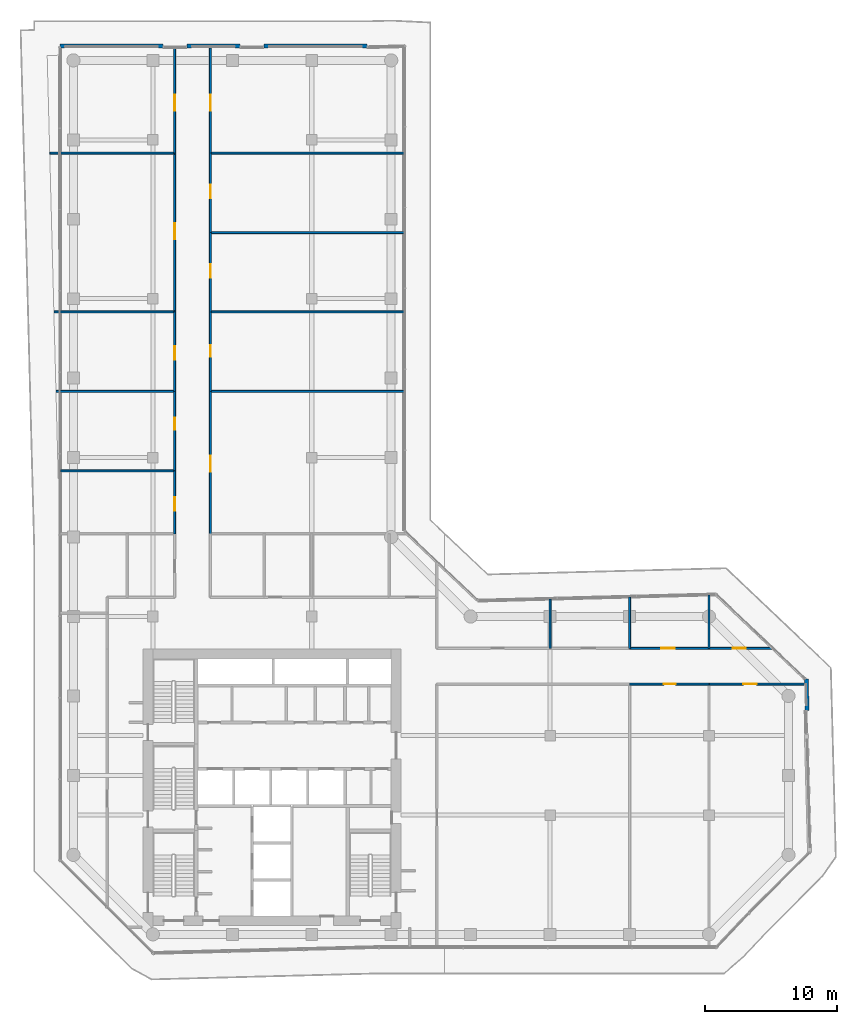
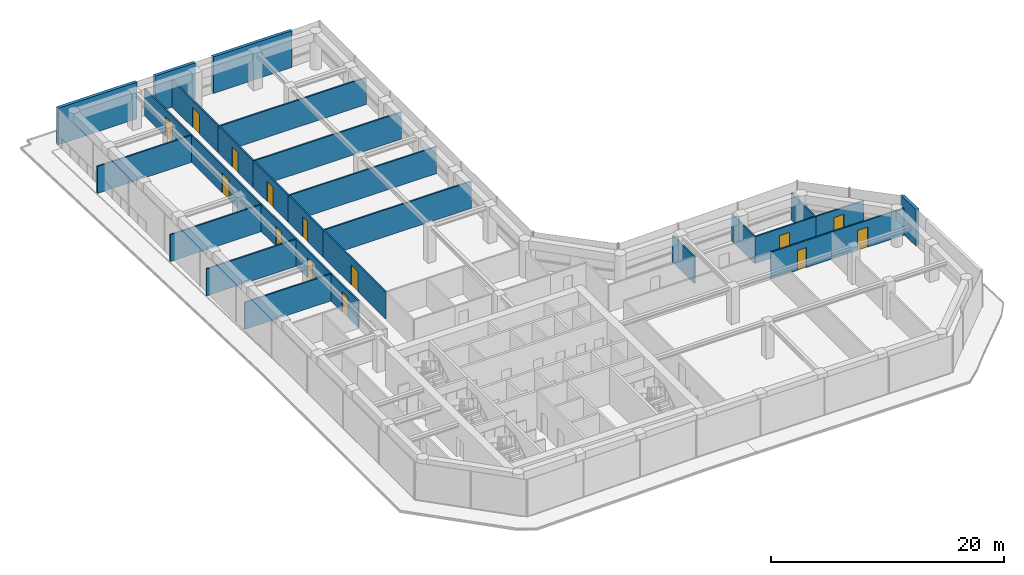
# One storey, part 20 of 23: 29 walls, 14 doors, 14 openings.
"""IFC4 building model written with IfcOpenShell, lengths in metres."""

from ifc_helpers import new_model, si_unit, direction, frame, frame_2d, origin, place, context, subcontext, project, spatial, rectangle, extrude, material, layer, layer_set, type_object, element, fill, save


model = new_model("IFC4")

# Units and contexts
model_context = context("Model", 3, precision=1e-05, world=origin(), true_north=direction((0.0, 1.0)))
body_context = subcontext(model_context, "Body", "Model", "MODEL_VIEW")
ifc_project = project(units=[si_unit("LENGTHUNIT", "METRE"), si_unit("AREAUNIT", "SQUARE_METRE"), si_unit("VOLUMEUNIT", "CUBIC_METRE"), si_unit("PLANEANGLEUNIT", "RADIAN"), si_unit("MASSUNIT", "GRAM", prefix="KILO")], contexts=[model_context])

# Site, building, storey
site_placement = place(None, origin())
site = spatial("IfcSite", under=ifc_project, at=site_placement, CompositionType="ELEMENT")
building_placement = place(site_placement, origin())
building = spatial("IfcBuilding", under=site, at=building_placement, Name="Welwitschia Terrace Campus", CompositionType="ELEMENT")
storey_placement = place(building_placement, frame((0.0, 0.0, 104.60009765625)))
storey = spatial("IfcBuildingStorey", under=building, at=storey_placement, Name="L23", CompositionType="ELEMENT", Elevation=104.60009765625)

# Walls
ifc_material_1 = material(Name="Gypsum board on steel studs", Category="steel")
ifc_layer_1 = layer(ifc_material_1, 0.14990234375)
ifc_layer_set_1 = layer_set([ifc_layer_1], Name="Gypsum board on steel studs")
wall_type_1 = type_object("IfcWallType", Name="Corridor partition 150 EI 30", PredefinedType="PARTITIONING", material=ifc_layer_set_1)
wall_1_placement = place(storey_placement, frame((-1.77001953125, 63.0, 0.0), z_axis=(0.0, 0.0, 1.0), x_axis=(1.0, 0.0, 0.0)))
element("IfcWall", 1, at=wall_1_placement, inside=storey, type_object=wall_type_1, Name="Partition", PredefinedType="PARTITIONING", context=body_context, shape_type="SweptSolid", body=[
    extrude(rectangle(XDim=9.419921875, YDim=0.14990234375, at=frame_2d((4.7099609375, 0.0))), origin(), (0.0, 0.0, 1.0), 2.829833984375),
])
wall_2_placement = place(storey_placement, frame((-1.449951171875, 51.0, 0.0), z_axis=(0.0, 0.0, 1.0), x_axis=(1.0, 0.0, 0.0)))
element("IfcWall", 2, at=wall_2_placement, inside=storey, type_object=wall_type_1, Name="Partition", PredefinedType="PARTITIONING", context=body_context, shape_type="SweptSolid", body=[
    extrude(rectangle(XDim=9.099853515625, YDim=0.14990234375, at=frame_2d((4.5498046875, 0.0))), origin(), (0.0, 0.0, 1.0), 2.829833984375),
])
wall_3_placement = place(storey_placement, frame((-1.300048828125, 45.0, 0.0), z_axis=(0.0, 0.0, 1.0), x_axis=(1.0, 0.0, 0.0)))
element("IfcWall", 3, at=wall_3_placement, inside=storey, type_object=wall_type_1, Name="Partition", PredefinedType="PARTITIONING", context=body_context, shape_type="SweptSolid", body=[
    extrude(rectangle(XDim=8.949951171875, YDim=0.14990234375, at=frame_2d((4.47509765625, 0.0))), origin(), (0.0, 0.0, 1.0), 2.829833984375),
])
wall_4_placement = place(storey_placement, frame((-0.969970703125, 39.0, 0.0), z_axis=(0.0, 0.0, 1.0), x_axis=(1.0, 0.0, 0.0)))
element("IfcWall", 4, at=wall_4_placement, inside=storey, type_object=wall_type_1, Name="Partition", PredefinedType="PARTITIONING", context=body_context, shape_type="SweptSolid", body=[
    extrude(rectangle(XDim=8.619873046875, YDim=0.14990234375, at=frame_2d((4.31005859375, 0.0))), origin(), (0.0, 0.0, 1.0), 2.829833984375),
])

# Wall, opening, door
wall_5_placement = place(storey_placement, frame((7.64990234375, 34.25, 0.0), z_axis=(0.0, 0.0, 1.0), x_axis=(0.0, 1.0, 0.0)))
wall_5 = element("IfcWall", 5, at=wall_5_placement, inside=storey, type_object=wall_type_1, Name="Partition", PredefinedType="PARTITIONING", context=body_context, shape_type="SweptSolid", body=[
    extrude(rectangle(XDim=4.75, YDim=0.14990234375, at=frame_2d((2.375, 0.0))), origin(), (0.0, 0.0, 1.0), 2.829833984375),
])
opening_1_placement = place(wall_5_placement, frame((1.75, 0.0, 0.0)))
opening_1 = element("IfcOpeningElement", 6, at=opening_1_placement, cuts=wall_5, Name="Opening DI10", PredefinedType="OPENING", context=body_context, shape_type="SweptSolid", body=[
    extrude(rectangle(XDim=1.0, YDim=2.10009765625, at=frame_2d((0.5, 1.050048828125))), frame((0.0, 0.0849609375, 0.0), z_axis=(0.0, -1.0, 0.0), x_axis=(1.0, 0.0, 0.0)), (0.0, 0.0, 1.0), 0.169921875),
])
ifc_material_2 = material(Name="Timber veneered door", Category="wood")
door_type_1 = type_object("IfcDoorType", Name="Interior door DI10", OperationType="NOTDEFINED", PredefinedType="DOOR", material=ifc_material_2)
door_1_placement = place(opening_1_placement, origin())
door_1 = element("IfcDoor", 7, at=door_1_placement, inside=storey, type_object=door_type_1, Name="Door L23 502", OperationType="SINGLE_SWING_LEFT", OverallHeight=2.10009765625, OverallWidth=1.0, PredefinedType="DOOR", context=body_context, shape_type="SweptSolid", body=[
    extrude(rectangle(XDim=1.0, YDim=2.10009765625, at=frame_2d((0.5, 1.050048828125))), frame((0.0, 0.02490234375, 0.0), z_axis=(0.0, -1.0, 0.0), x_axis=(1.0, 0.0, 0.0)), (0.0, 0.0, 1.0), 0.050048828125),
])
fill(opening_1, door_1)

wall_6_placement = place(storey_placement, frame((7.64990234375, 39.0, 0.0), z_axis=(0.0, 0.0, 1.0), x_axis=(0.0, 1.0, 0.0)))
wall_6 = element("IfcWall", 8, at=wall_6_placement, inside=storey, type_object=wall_type_1, Name="Partition", PredefinedType="PARTITIONING", context=body_context, shape_type="SweptSolid", body=[
    extrude(rectangle(XDim=6.0, YDim=0.14990234375, at=frame_2d((3.0, 0.0))), origin(), (0.0, 0.0, 1.0), 2.829833984375),
])
opening_2_placement = place(wall_6_placement, frame((3.10009765625, 0.0, 0.0)))
opening_2 = element("IfcOpeningElement", 9, at=opening_2_placement, cuts=wall_6, Name="Opening DI09", PredefinedType="OPENING", context=body_context, shape_type="SweptSolid", body=[
    extrude(rectangle(XDim=0.89990234375, YDim=2.10009765625, at=frame_2d((0.449951171875, 1.050048828125))), frame((0.0, 0.0849609375, 0.0), z_axis=(0.0, -1.0, 0.0), x_axis=(1.0, 0.0, 0.0)), (0.0, 0.0, 1.0), 0.169921875),
])
ifc_material_3 = material(Name="Timber veneered door", Category="wood")
door_type_2 = type_object("IfcDoorType", Name="Interior door DI09", OperationType="NOTDEFINED", PredefinedType="DOOR", material=ifc_material_3)
door_2_placement = place(opening_2_placement, origin())
door_2 = element("IfcDoor", 10, at=door_2_placement, inside=storey, type_object=door_type_2, Name="Door L23 503", OperationType="SINGLE_SWING_RIGHT", OverallHeight=2.10009765625, OverallWidth=0.89990234375, PredefinedType="DOOR", context=body_context, shape_type="SweptSolid", body=[
    extrude(rectangle(XDim=0.89990234375, YDim=2.10009765625, at=frame_2d((0.449951171875, 1.050048828125))), frame((0.0, 0.02490234375, 0.0), z_axis=(0.0, -1.0, 0.0), x_axis=(1.0, 0.0, 0.0)), (0.0, 0.0, 1.0), 0.050048828125),
])
fill(opening_2, door_2)

wall_7_placement = place(storey_placement, frame((7.64990234375, 45.0, 0.0), z_axis=(0.0, 0.0, 1.0), x_axis=(0.0, 1.0, 0.0)))
wall_7 = element("IfcWall", 11, at=wall_7_placement, inside=storey, type_object=wall_type_1, Name="Partition", PredefinedType="PARTITIONING", context=body_context, shape_type="SweptSolid", body=[
    extrude(rectangle(XDim=6.0, YDim=0.14990234375, at=frame_2d((3.0, 0.0))), origin(), (0.0, 0.0, 1.0), 2.829833984375),
])
opening_3_placement = place(wall_7_placement, frame((2.39990234375, 0.0, 0.0)))
opening_3 = element("IfcOpeningElement", 12, at=opening_3_placement, cuts=wall_7, Name="Opening DI10", PredefinedType="OPENING", context=body_context, shape_type="SweptSolid", body=[
    extrude(rectangle(XDim=1.0, YDim=2.10009765625, at=frame_2d((0.5, 1.050048828125))), frame((0.0, 0.0849609375, 0.0), z_axis=(0.0, -1.0, 0.0), x_axis=(1.0, 0.0, 0.0)), (0.0, 0.0, 1.0), 0.169921875),
])
door_3_placement = place(opening_3_placement, origin())
door_3 = element("IfcDoor", 13, at=door_3_placement, inside=storey, type_object=door_type_1, Name="Door L23 504", OperationType="SINGLE_SWING_LEFT", OverallHeight=2.10009765625, OverallWidth=1.0, PredefinedType="DOOR", context=body_context, shape_type="SweptSolid", body=[
    extrude(rectangle(XDim=1.0, YDim=2.10009765625, at=frame_2d((0.5, 1.050048828125))), frame((0.0, 0.02490234375, 0.0), z_axis=(0.0, -1.0, 0.0), x_axis=(1.0, 0.0, 0.0)), (0.0, 0.0, 1.0), 0.050048828125),
])
fill(opening_3, door_3)

wall_8_placement = place(storey_placement, frame((7.64990234375, 51.0, 0.0), z_axis=(0.0, 0.0, 1.0), x_axis=(0.0, 1.0, 0.0)))
wall_8 = element("IfcWall", 14, at=wall_8_placement, inside=storey, type_object=wall_type_1, Name="Partition", PredefinedType="PARTITIONING", context=body_context, shape_type="SweptSolid", body=[
    extrude(rectangle(XDim=12.0, YDim=0.14990234375, at=frame_2d((6.0, 0.0))), origin(), (0.0, 0.0, 1.0), 2.829833984375),
])
opening_4_placement = place(wall_8_placement, frame((5.5, 0.0, 0.0)))
opening_4 = element("IfcOpeningElement", 15, at=opening_4_placement, cuts=wall_8, Name="Opening DI12", PredefinedType="OPENING", context=body_context, shape_type="SweptSolid", body=[
    extrude(rectangle(XDim=1.199951171875, YDim=2.10009765625, at=frame_2d((0.60009765625, 1.050048828125))), frame((0.0, 0.0849609375, 0.0), z_axis=(0.0, -1.0, 0.0), x_axis=(1.0, 0.0, 0.0)), (0.0, 0.0, 1.0), 0.169921875),
])
ifc_material_4 = material(Name="Timber veneered door", Category="wood")
door_type_3 = type_object("IfcDoorType", Name="Interior door DI12", OperationType="NOTDEFINED", PredefinedType="DOOR", material=ifc_material_4)
door_4_placement = place(opening_4_placement, origin())
door_4 = element("IfcDoor", 16, at=door_4_placement, inside=storey, type_object=door_type_3, Name="Door L23 505", OperationType="SINGLE_SWING_RIGHT", OverallHeight=2.10009765625, OverallWidth=1.199951171875, PredefinedType="DOOR", context=body_context, shape_type="SweptSolid", body=[
    extrude(rectangle(XDim=1.199951171875, YDim=2.10009765625, at=frame_2d((0.60009765625, 1.050048828125))), frame((0.0, 0.02490234375, 0.0), z_axis=(0.0, -1.0, 0.0), x_axis=(1.0, 0.0, 0.0)), (0.0, 0.0, 1.0), 0.050048828125),
])
fill(opening_4, door_4)

wall_9_placement = place(storey_placement, frame((7.64990234375, 63.0, 0.0), z_axis=(0.0, 0.0, 1.0), x_axis=(0.0, 1.0, 0.0)))
wall_9 = element("IfcWall", 17, at=wall_9_placement, inside=storey, type_object=wall_type_1, Name="Partition", PredefinedType="PARTITIONING", context=body_context, shape_type="SweptSolid", body=[
    extrude(rectangle(XDim=8.090087890625, YDim=0.14990234375, at=frame_2d((4.044921875, 0.0))), origin(), (0.0, 0.0, 1.0), 2.829833984375),
])
opening_5_placement = place(wall_9_placement, frame((3.199951171875, 0.0, 0.0)))
opening_5 = element("IfcOpeningElement", 18, at=opening_5_placement, cuts=wall_9, Name="Opening DI12", PredefinedType="OPENING", context=body_context, shape_type="SweptSolid", body=[
    extrude(rectangle(XDim=1.199951171875, YDim=2.10009765625, at=frame_2d((0.60009765625, 1.050048828125))), frame((0.0, 0.0849609375, 0.0), z_axis=(0.0, -1.0, 0.0), x_axis=(1.0, 0.0, 0.0)), (0.0, 0.0, 1.0), 0.169921875),
])
door_5_placement = place(opening_5_placement, origin())
door_5 = element("IfcDoor", 19, at=door_5_placement, inside=storey, type_object=door_type_3, Name="Door L23 506", OperationType="SINGLE_SWING_LEFT", OverallHeight=2.10009765625, OverallWidth=1.199951171875, PredefinedType="DOOR", context=body_context, shape_type="SweptSolid", body=[
    extrude(rectangle(XDim=1.199951171875, YDim=2.10009765625, at=frame_2d((0.60009765625, 1.050048828125))), frame((0.0, 0.02490234375, 0.0), z_axis=(0.0, -1.0, 0.0), x_axis=(1.0, 0.0, 0.0)), (0.0, 0.0, 1.0), 0.050048828125),
])
fill(opening_5, door_5)

wall_10_placement = place(storey_placement, frame((10.35009765625, 45.0, 0.0), z_axis=(0.0, 0.0, 1.0), x_axis=(0.0, -1.0, 0.0)))
wall_10 = element("IfcWall", 20, at=wall_10_placement, inside=storey, type_object=wall_type_1, Name="Partition", PredefinedType="PARTITIONING", context=body_context, shape_type="SweptSolid", body=[
    extrude(rectangle(XDim=10.75, YDim=0.14990234375, at=frame_2d((5.375, 0.0))), origin(), (0.0, 0.0, 1.0), 2.829833984375),
])
opening_6_placement = place(wall_10_placement, frame((4.85009765625, 0.0, 0.0)))
opening_6 = element("IfcOpeningElement", 21, at=opening_6_placement, cuts=wall_10, Name="Opening DI12", PredefinedType="OPENING", context=body_context, shape_type="SweptSolid", body=[
    extrude(rectangle(XDim=1.199951171875, YDim=2.10009765625, at=frame_2d((0.60009765625, 1.050048828125))), frame((0.0, 0.0849609375, 0.0), z_axis=(0.0, -1.0, 0.0), x_axis=(1.0, 0.0, 0.0)), (0.0, 0.0, 1.0), 0.169921875),
])
door_6_placement = place(opening_6_placement, origin())
door_6 = element("IfcDoor", 22, at=door_6_placement, inside=storey, type_object=door_type_3, Name="Door L23 507", OperationType="SINGLE_SWING_RIGHT", OverallHeight=2.10009765625, OverallWidth=1.199951171875, PredefinedType="DOOR", context=body_context, shape_type="SweptSolid", body=[
    extrude(rectangle(XDim=1.199951171875, YDim=2.10009765625, at=frame_2d((0.60009765625, 1.050048828125))), frame((0.0, 0.02490234375, 0.0), z_axis=(0.0, -1.0, 0.0), x_axis=(1.0, 0.0, 0.0)), (0.0, 0.0, 1.0), 0.050048828125),
])
fill(opening_6, door_6)

# Wall
wall_11_placement = place(storey_placement, frame((10.35009765625, 45.0, 0.0), z_axis=(0.0, 0.0, 1.0), x_axis=(1.0, 0.0, 0.0)))
element("IfcWall", 23, at=wall_11_placement, inside=storey, type_object=wall_type_1, Name="Partition", PredefinedType="PARTITIONING", context=body_context, shape_type="SweptSolid", body=[
    extrude(rectangle(XDim=14.6298828125, YDim=0.14990234375, at=frame_2d((7.31494140625, 0.0))), origin(), (0.0, 0.0, 1.0), 2.829833984375),
])

# Wall, opening, door
wall_12_placement = place(storey_placement, frame((10.35009765625, 51.0, 0.0), z_axis=(0.0, 0.0, 1.0), x_axis=(0.0, -1.0, 0.0)))
wall_12 = element("IfcWall", 24, at=wall_12_placement, inside=storey, type_object=wall_type_1, Name="Partition", PredefinedType="PARTITIONING", context=body_context, shape_type="SweptSolid", body=[
    extrude(rectangle(XDim=6.0, YDim=0.14990234375, at=frame_2d((3.0, 0.0))), origin(), (0.0, 0.0, 1.0), 2.829833984375),
])
opening_7_placement = place(wall_12_placement, frame((2.5, 0.0, 0.0)))
opening_7 = element("IfcOpeningElement", 25, at=opening_7_placement, cuts=wall_12, Name="Opening DI09", PredefinedType="OPENING", context=body_context, shape_type="SweptSolid", body=[
    extrude(rectangle(XDim=0.89990234375, YDim=2.10009765625, at=frame_2d((0.449951171875, 1.050048828125))), frame((0.0, 0.0849609375, 0.0), z_axis=(0.0, -1.0, 0.0), x_axis=(1.0, 0.0, 0.0)), (0.0, 0.0, 1.0), 0.169921875),
])
door_7_placement = place(opening_7_placement, origin())
door_7 = element("IfcDoor", 26, at=door_7_placement, inside=storey, type_object=door_type_2, Name="Door L23 508", OperationType="SINGLE_SWING_LEFT", OverallHeight=2.10009765625, OverallWidth=0.89990234375, PredefinedType="DOOR", context=body_context, shape_type="SweptSolid", body=[
    extrude(rectangle(XDim=0.89990234375, YDim=2.10009765625, at=frame_2d((0.449951171875, 1.050048828125))), frame((0.0, 0.02490234375, 0.0), z_axis=(0.0, -1.0, 0.0), x_axis=(1.0, 0.0, 0.0)), (0.0, 0.0, 1.0), 0.050048828125),
])
fill(opening_7, door_7)

# Wall
wall_13_placement = place(storey_placement, frame((10.35009765625, 51.0, 0.0), z_axis=(0.0, 0.0, 1.0), x_axis=(1.0, 0.0, 0.0)))
element("IfcWall", 27, at=wall_13_placement, inside=storey, type_object=wall_type_1, Name="Partition", PredefinedType="PARTITIONING", context=body_context, shape_type="SweptSolid", body=[
    extrude(rectangle(XDim=14.6298828125, YDim=0.14990234375, at=frame_2d((7.31494140625, 0.0))), origin(), (0.0, 0.0, 1.0), 2.829833984375),
])

# Wall, opening, door
wall_14_placement = place(storey_placement, frame((10.35009765625, 57.0, 0.0), z_axis=(0.0, 0.0, 1.0), x_axis=(0.0, -1.0, 0.0)))
wall_14 = element("IfcWall", 28, at=wall_14_placement, inside=storey, type_object=wall_type_1, Name="Partition", PredefinedType="PARTITIONING", context=body_context, shape_type="SweptSolid", body=[
    extrude(rectangle(XDim=6.0, YDim=0.14990234375, at=frame_2d((3.0, 0.0))), origin(), (0.0, 0.0, 1.0), 2.829833984375),
])
opening_8_placement = place(wall_14_placement, frame((2.39990234375, 0.0, 0.0)))
opening_8 = element("IfcOpeningElement", 29, at=opening_8_placement, cuts=wall_14, Name="Opening DI10", PredefinedType="OPENING", context=body_context, shape_type="SweptSolid", body=[
    extrude(rectangle(XDim=1.0, YDim=2.10009765625, at=frame_2d((0.5, 1.050048828125))), frame((0.0, 0.0849609375, 0.0), z_axis=(0.0, -1.0, 0.0), x_axis=(1.0, 0.0, 0.0)), (0.0, 0.0, 1.0), 0.169921875),
])
door_8_placement = place(opening_8_placement, origin())
door_8 = element("IfcDoor", 30, at=door_8_placement, inside=storey, type_object=door_type_1, Name="Door L23 509", OperationType="SINGLE_SWING_RIGHT", OverallHeight=2.10009765625, OverallWidth=1.0, PredefinedType="DOOR", context=body_context, shape_type="SweptSolid", body=[
    extrude(rectangle(XDim=1.0, YDim=2.10009765625, at=frame_2d((0.5, 1.050048828125))), frame((0.0, 0.02490234375, 0.0), z_axis=(0.0, -1.0, 0.0), x_axis=(1.0, 0.0, 0.0)), (0.0, 0.0, 1.0), 0.050048828125),
])
fill(opening_8, door_8)

# Wall
wall_15_placement = place(storey_placement, frame((10.35009765625, 57.0, 0.0), z_axis=(0.0, 0.0, 1.0), x_axis=(1.0, 0.0, 0.0)))
element("IfcWall", 31, at=wall_15_placement, inside=storey, type_object=wall_type_1, Name="Partition", PredefinedType="PARTITIONING", context=body_context, shape_type="SweptSolid", body=[
    extrude(rectangle(XDim=14.6298828125, YDim=0.14990234375, at=frame_2d((7.31494140625, 0.0))), origin(), (0.0, 0.0, 1.0), 2.829833984375),
])

# Wall, opening, door
wall_16_placement = place(storey_placement, frame((10.35009765625, 63.0, 0.0), z_axis=(0.0, 0.0, 1.0), x_axis=(0.0, -1.0, 0.0)))
wall_16 = element("IfcWall", 32, at=wall_16_placement, inside=storey, type_object=wall_type_1, Name="Partition", PredefinedType="PARTITIONING", context=body_context, shape_type="SweptSolid", body=[
    extrude(rectangle(XDim=6.0, YDim=0.14990234375, at=frame_2d((3.0, 0.0))), origin(), (0.0, 0.0, 1.0), 2.829833984375),
])
opening_9_placement = place(wall_16_placement, frame((2.39990234375, 0.0, 0.0)))
opening_9 = element("IfcOpeningElement", 33, at=opening_9_placement, cuts=wall_16, Name="Opening DI10", PredefinedType="OPENING", context=body_context, shape_type="SweptSolid", body=[
    extrude(rectangle(XDim=1.0, YDim=2.10009765625, at=frame_2d((0.5, 1.050048828125))), frame((0.0, 0.0849609375, 0.0), z_axis=(0.0, -1.0, 0.0), x_axis=(1.0, 0.0, 0.0)), (0.0, 0.0, 1.0), 0.169921875),
])
door_9_placement = place(opening_9_placement, origin())
door_9 = element("IfcDoor", 34, at=door_9_placement, inside=storey, type_object=door_type_1, Name="Door L23 510", OperationType="SINGLE_SWING_LEFT", OverallHeight=2.10009765625, OverallWidth=1.0, PredefinedType="DOOR", context=body_context, shape_type="SweptSolid", body=[
    extrude(rectangle(XDim=1.0, YDim=2.10009765625, at=frame_2d((0.5, 1.050048828125))), frame((0.0, 0.02490234375, 0.0), z_axis=(0.0, -1.0, 0.0), x_axis=(1.0, 0.0, 0.0)), (0.0, 0.0, 1.0), 0.050048828125),
])
fill(opening_9, door_9)

# Wall
wall_17_placement = place(storey_placement, frame((10.35009765625, 63.0, 0.0), z_axis=(0.0, 0.0, 1.0), x_axis=(1.0, 0.0, 0.0)))
element("IfcWall", 35, at=wall_17_placement, inside=storey, type_object=wall_type_1, Name="Partition", PredefinedType="PARTITIONING", context=body_context, shape_type="SweptSolid", body=[
    extrude(rectangle(XDim=14.6298828125, YDim=0.14990234375, at=frame_2d((7.31494140625, 0.0))), origin(), (0.0, 0.0, 1.0), 2.829833984375),
])

# Wall, opening, door
wall_18_placement = place(storey_placement, frame((10.35009765625, 71.090087890625, 0.0), z_axis=(0.0, 0.0, 1.0), x_axis=(0.0, -1.0, 0.0)))
wall_18 = element("IfcWall", 36, at=wall_18_placement, inside=storey, type_object=wall_type_1, Name="Partition", PredefinedType="PARTITIONING", context=body_context, shape_type="SweptSolid", body=[
    extrude(rectangle(XDim=8.090087890625, YDim=0.14990234375, at=frame_2d((4.044921875, 0.0))), origin(), (0.0, 0.0, 1.0), 2.829833984375),
])
opening_10_placement = place(wall_18_placement, frame((3.68994140625, 0.0, 0.0)))
opening_10 = element("IfcOpeningElement", 37, at=opening_10_placement, cuts=wall_18, Name="Opening DI12", PredefinedType="OPENING", context=body_context, shape_type="SweptSolid", body=[
    extrude(rectangle(XDim=1.199951171875, YDim=2.10009765625, at=frame_2d((0.60009765625, 1.050048828125))), frame((0.0, 0.0849609375, 0.0), z_axis=(0.0, -1.0, 0.0), x_axis=(1.0, 0.0, 0.0)), (0.0, 0.0, 1.0), 0.169921875),
])
door_10_placement = place(opening_10_placement, origin())
door_10 = element("IfcDoor", 38, at=door_10_placement, inside=storey, type_object=door_type_3, Name="Door L23 511", OperationType="SINGLE_SWING_RIGHT", OverallHeight=2.10009765625, OverallWidth=1.199951171875, PredefinedType="DOOR", context=body_context, shape_type="SweptSolid", body=[
    extrude(rectangle(XDim=1.199951171875, YDim=2.10009765625, at=frame_2d((0.60009765625, 1.050048828125))), frame((0.0, 0.02490234375, 0.0), z_axis=(0.0, -1.0, 0.0), x_axis=(1.0, 0.0, 0.0)), (0.0, 0.0, 1.0), 0.050048828125),
])
fill(opening_10, door_10)

# Walls
wall_19_placement = place(storey_placement, frame((36.0, 25.60009765625, 0.0), z_axis=(0.0, 0.0, 1.0), x_axis=(0.0, 1.0, 0.0)))
element("IfcWall", 39, at=wall_19_placement, inside=storey, type_object=wall_type_1, Name="Partition", PredefinedType="PARTITIONING", context=body_context, shape_type="SweptSolid", body=[
    extrude(rectangle(XDim=3.72998046875, YDim=0.14990234375, at=frame_2d((1.864990234375, 0.0))), origin(), (0.0, 0.0, 1.0), 2.829833984375),
])
wall_20_placement = place(storey_placement, frame((42.0, 25.60009765625, 0.0), z_axis=(0.0, 0.0, 1.0), x_axis=(0.0, 1.0, 0.0)))
element("IfcWall", 40, at=wall_20_placement, inside=storey, type_object=wall_type_1, Name="Partition", PredefinedType="PARTITIONING", context=body_context, shape_type="SweptSolid", body=[
    extrude(rectangle(XDim=3.8798828125, YDim=0.14990234375, at=frame_2d((1.93994140625, 0.0))), origin(), (0.0, 0.0, 1.0), 2.829833984375),
])

# Wall, opening, door
wall_21_placement = place(storey_placement, frame((42.0, 25.60009765625, 0.0), z_axis=(0.0, 0.0, 1.0), x_axis=(1.0, 0.0, 0.0)))
wall_21 = element("IfcWall", 41, at=wall_21_placement, inside=storey, type_object=wall_type_1, Name="Partition", PredefinedType="PARTITIONING", context=body_context, shape_type="SweptSolid", body=[
    extrude(rectangle(XDim=6.0, YDim=0.14990234375, at=frame_2d((3.0, 0.0))), origin(), (0.0, 0.0, 1.0), 2.829833984375),
])
opening_11_placement = place(wall_21_placement, frame((2.39990234375, 0.0, 0.0)))
opening_11 = element("IfcOpeningElement", 42, at=opening_11_placement, cuts=wall_21, Name="Opening DI10", PredefinedType="OPENING", context=body_context, shape_type="SweptSolid", body=[
    extrude(rectangle(XDim=1.0, YDim=2.10009765625, at=frame_2d((0.5, 1.050048828125))), frame((0.0, 0.0849609375, 0.0), z_axis=(0.0, -1.0, 0.0), x_axis=(1.0, 0.0, 0.0)), (0.0, 0.0, 1.0), 0.169921875),
])
door_11_placement = place(opening_11_placement, origin())
door_11 = element("IfcDoor", 43, at=door_11_placement, inside=storey, type_object=door_type_1, Name="Door L23 517", OperationType="SINGLE_SWING_RIGHT", OverallHeight=2.10009765625, OverallWidth=1.0, PredefinedType="DOOR", context=body_context, shape_type="SweptSolid", body=[
    extrude(rectangle(XDim=1.0, YDim=2.10009765625, at=frame_2d((0.5, 1.050048828125))), frame((0.0, 0.02490234375, 0.0), z_axis=(0.0, -1.0, 0.0), x_axis=(1.0, 0.0, 0.0)), (0.0, 0.0, 1.0), 0.050048828125),
])
fill(opening_11, door_11)

wall_22_placement = place(storey_placement, frame((48.0, 22.89990234375, 0.0), z_axis=(0.0, 0.0, 1.0), x_axis=(-1.0, 0.0, 0.0)))
wall_22 = element("IfcWall", 44, at=wall_22_placement, inside=storey, type_object=wall_type_1, Name="Partition", PredefinedType="PARTITIONING", context=body_context, shape_type="SweptSolid", body=[
    extrude(rectangle(XDim=6.0, YDim=0.14990234375, at=frame_2d((3.0, 0.0))), origin(), (0.0, 0.0, 1.0), 2.829833984375),
])
opening_12_placement = place(wall_22_placement, frame((2.5, 0.0, 0.0)))
opening_12 = element("IfcOpeningElement", 45, at=opening_12_placement, cuts=wall_22, Name="Opening DI09", PredefinedType="OPENING", context=body_context, shape_type="SweptSolid", body=[
    extrude(rectangle(XDim=0.89990234375, YDim=2.10009765625, at=frame_2d((0.449951171875, 1.050048828125))), frame((0.0, 0.0849609375, 0.0), z_axis=(0.0, -1.0, 0.0), x_axis=(1.0, 0.0, 0.0)), (0.0, 0.0, 1.0), 0.169921875),
])
door_12_placement = place(opening_12_placement, origin())
door_12 = element("IfcDoor", 46, at=door_12_placement, inside=storey, type_object=door_type_2, Name="Door L23 518", OperationType="SINGLE_SWING_LEFT", OverallHeight=2.10009765625, OverallWidth=0.89990234375, PredefinedType="DOOR", context=body_context, shape_type="SweptSolid", body=[
    extrude(rectangle(XDim=0.89990234375, YDim=2.10009765625, at=frame_2d((0.449951171875, 1.050048828125))), frame((0.0, 0.02490234375, 0.0), z_axis=(0.0, -1.0, 0.0), x_axis=(1.0, 0.0, 0.0)), (0.0, 0.0, 1.0), 0.050048828125),
])
fill(opening_12, door_12)

# Wall
wall_23_placement = place(storey_placement, frame((48.0, 25.60009765625, 0.0), z_axis=(0.0, 0.0, 1.0), x_axis=(0.0, 1.0, 0.0)))
element("IfcWall", 47, at=wall_23_placement, inside=storey, type_object=wall_type_1, Name="Partition", PredefinedType="PARTITIONING", context=body_context, shape_type="SweptSolid", body=[
    extrude(rectangle(XDim=4.039794921875, YDim=0.14990234375, at=frame_2d((2.02001953125, 0.0))), origin(), (0.0, 0.0, 1.0), 2.829833984375),
])

# Wall, opening, door
wall_24_placement = place(storey_placement, frame((48.0, 25.60009765625, 0.0), z_axis=(0.0, 0.0, 1.0), x_axis=(1.0, 0.0, 0.0)))
wall_24 = element("IfcWall", 48, at=wall_24_placement, inside=storey, type_object=wall_type_1, Name="Partition", PredefinedType="PARTITIONING", context=body_context, shape_type="SweptSolid", body=[
    extrude(rectangle(XDim=4.780029296875, YDim=0.14990234375, at=frame_2d((2.39013671875, 0.0))), origin(), (0.0, 0.0, 1.0), 2.829833984375),
])
opening_13_placement = place(wall_24_placement, frame((1.780029296875, 0.0, 0.0)))
opening_13 = element("IfcOpeningElement", 49, at=opening_13_placement, cuts=wall_24, Name="Opening DI10", PredefinedType="OPENING", context=body_context, shape_type="SweptSolid", body=[
    extrude(rectangle(XDim=1.0, YDim=2.10009765625, at=frame_2d((0.5, 1.050048828125))), frame((0.0, 0.0849609375, 0.0), z_axis=(0.0, -1.0, 0.0), x_axis=(1.0, 0.0, 0.0)), (0.0, 0.0, 1.0), 0.169921875),
])
door_13_placement = place(opening_13_placement, origin())
door_13 = element("IfcDoor", 50, at=door_13_placement, inside=storey, type_object=door_type_1, Name="Door L23 519", OperationType="SINGLE_SWING_RIGHT", OverallHeight=2.10009765625, OverallWidth=1.0, PredefinedType="DOOR", context=body_context, shape_type="SweptSolid", body=[
    extrude(rectangle(XDim=1.0, YDim=2.10009765625, at=frame_2d((0.5, 1.050048828125))), frame((0.0, 0.02490234375, 0.0), z_axis=(0.0, -1.0, 0.0), x_axis=(1.0, 0.0, 0.0)), (0.0, 0.0, 1.0), 0.050048828125),
])
fill(opening_13, door_13)

wall_25_placement = place(storey_placement, frame((55.370361328125, 22.89990234375, 0.0), z_axis=(0.0, 0.0, 1.0), x_axis=(-1.0, 0.0, 0.0)))
wall_25 = element("IfcWall", 51, at=wall_25_placement, inside=storey, type_object=wall_type_1, Name="Partition", PredefinedType="PARTITIONING", context=body_context, shape_type="SweptSolid", body=[
    extrude(rectangle(XDim=7.370361328125, YDim=0.14990234375, at=frame_2d((3.68505859375, 0.0))), origin(), (0.0, 0.0, 1.0), 2.829833984375),
])
opening_14_placement = place(wall_25_placement, frame((3.770263671875, 0.0, 0.0)))
opening_14 = element("IfcOpeningElement", 52, at=opening_14_placement, cuts=wall_25, Name="Opening DI10", PredefinedType="OPENING", context=body_context, shape_type="SweptSolid", body=[
    extrude(rectangle(XDim=1.0, YDim=2.10009765625, at=frame_2d((0.5, 1.050048828125))), frame((0.0, 0.0849609375, 0.0), z_axis=(0.0, -1.0, 0.0), x_axis=(1.0, 0.0, 0.0)), (0.0, 0.0, 1.0), 0.169921875),
])
door_14_placement = place(opening_14_placement, origin())
door_14 = element("IfcDoor", 53, at=door_14_placement, inside=storey, type_object=door_type_1, Name="Door L23 520", OperationType="SINGLE_SWING_LEFT", OverallHeight=2.10009765625, OverallWidth=1.0, PredefinedType="DOOR", context=body_context, shape_type="SweptSolid", body=[
    extrude(rectangle(XDim=1.0, YDim=2.10009765625, at=frame_2d((0.5, 1.050048828125))), frame((0.0, 0.02490234375, 0.0), z_axis=(0.0, -1.0, 0.0), x_axis=(1.0, 0.0, 0.0)), (0.0, 0.0, 1.0), 0.050048828125),
])
fill(opening_14, door_14)

# Walls
ifc_material_5 = material(Name="Concrete C40/50", Category="concrete")
ifc_layer_2 = layer(ifc_material_5, 0.300048828125)
ifc_layer_set_2 = layer_set([ifc_layer_2], Name="Concrete C40/50")
wall_type_2 = type_object("IfcWallType", Name="Mass wall 300", PredefinedType="SOLIDWALL", material=ifc_layer_set_2)
wall_26_placement = place(storey_placement, frame((55.412109375, 20.905517578125, 0.0), z_axis=(0.0, 0.0, 1.0), x_axis=(-0.026122769601, 0.999658742226, 0.0)))
element("IfcWall", 54, at=wall_26_placement, inside=storey, type_object=wall_type_2, Name="Mass wall L23.5.1", PredefinedType="SOLIDWALL", context=body_context, shape_type="SweptSolid", body=[
    extrude(rectangle(XDim=2.373779296875, YDim=0.300048828125, at=frame_2d((1.18701171875, 0.0))), origin(), (0.0, 0.0, 1.0), 3.849853515625),
])
wall_27_placement = place(storey_placement, frame((22.183349609375, 71.080078125, 0.0), z_axis=(0.0, 0.0, 1.0), x_axis=(-1.0, 0.0, 0.0)))
element("IfcWall", 55, at=wall_27_placement, inside=storey, type_object=wall_type_2, Name="Mass wall L23.11.0", PredefinedType="SOLIDWALL", context=body_context, shape_type="SweptSolid", body=[
    extrude(rectangle(XDim=7.804931640625, YDim=0.300048828125, at=frame_2d((3.90234375, 0.0))), origin(), (0.0, 0.0, 1.0), 3.849853515625),
])
wall_28_placement = place(storey_placement, frame((12.578369140625, 71.080078125, 0.0), z_axis=(0.0, 0.0, 1.0), x_axis=(-1.0, 0.0, 0.0)))
element("IfcWall", 56, at=wall_28_placement, inside=storey, type_object=wall_type_2, Name="Mass wall L23.11.1", PredefinedType="SOLIDWALL", context=body_context, shape_type="SweptSolid", body=[
    extrude(rectangle(XDim=4.00341796875, YDim=0.300048828125, at=frame_2d((2.001708984375, 0.0))), origin(), (0.0, 0.0, 1.0), 3.849853515625),
])
wall_29_placement = place(storey_placement, frame((6.77490234375, 71.078125, 0.0), z_axis=(0.0, 0.0, 1.0), x_axis=(-1.0, 0.0, 0.0)))
element("IfcWall", 57, at=wall_29_placement, inside=storey, type_object=wall_type_2, Name="Mass wall L23.11.2", PredefinedType="SOLIDWALL", context=body_context, shape_type="SweptSolid", body=[
    extrude(rectangle(XDim=7.804931640625, YDim=0.300048828125, at=frame_2d((3.90234375, 0.0))), origin(), (0.0, 0.0, 1.0), 3.849853515625),
])

save(model, "model.ifc")
